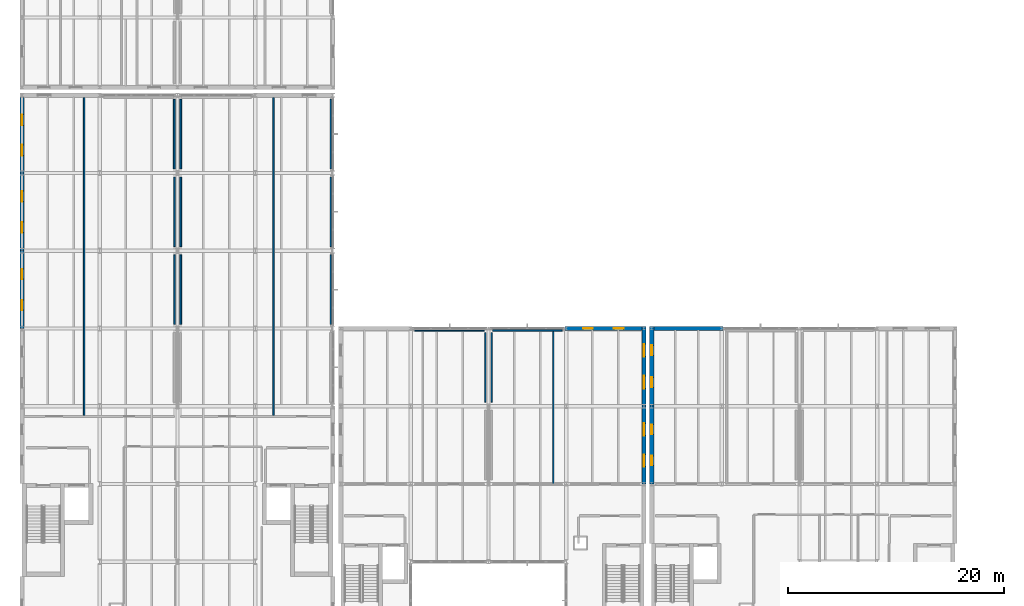
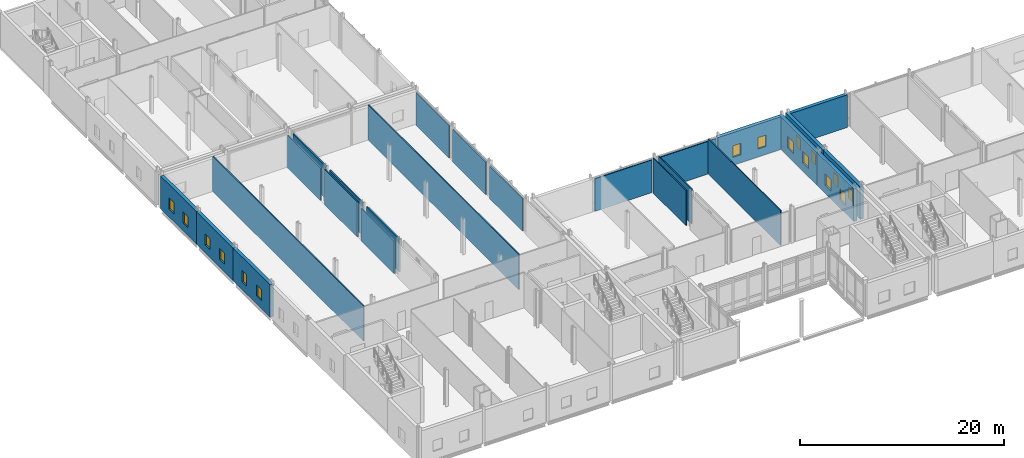
# One storey, part 54 of 72: 25 walls, 16 windows, 16 openings.
"""IFC4 building model written with IfcOpenShell, lengths in metres."""

from ifc_helpers import new_model, si_unit, direction, frame, frame_2d, origin, place, context, subcontext, project, spatial, rectangle, extrude, material, layer, layer_set, type_object, element, fill, save


model = new_model("IFC4")

# Units and contexts
model_context = context("Model", 3, precision=1e-05, world=origin(), true_north=direction((0.0, 1.0)))
body_context = subcontext(model_context, "Body", "Model", "MODEL_VIEW")
ifc_project = project(units=[si_unit("LENGTHUNIT", "METRE"), si_unit("AREAUNIT", "SQUARE_METRE"), si_unit("VOLUMEUNIT", "CUBIC_METRE"), si_unit("PLANEANGLEUNIT", "RADIAN"), si_unit("MASSUNIT", "GRAM", prefix="KILO")], contexts=[model_context])

# Site, building, storey
site_placement = place(None, origin())
site = spatial("IfcSite", under=ifc_project, at=site_placement, CompositionType="ELEMENT")
building_placement = place(site_placement, origin())
building = spatial("IfcBuilding", under=site, at=building_placement, Name="Zarrinpeak Specialist Clinic", CompositionType="ELEMENT")
storey_placement = place(building_placement, frame((0.0, 0.0, 9.60009765625)))
storey = spatial("IfcBuildingStorey", under=building, at=storey_placement, Name="L02", CompositionType="ELEMENT", Elevation=9.60009765625)

# Wall, openings, windows
ifc_material_1 = material(Name="Precast concrete C40/50", Category="concrete")
ifc_layer_1 = layer(ifc_material_1, 0.3798828125)
ifc_layer_set_1 = layer_set([ifc_layer_1], Name="Precast concrete C40/50")
wall_type_1 = type_object("IfcWallType", Name="WL-EW380", PredefinedType="STANDARD", material=ifc_layer_set_1)
wall_1_placement = place(storey_placement, frame((0.0, 36.0, 0.0), z_axis=(0.0, 0.0, 1.0), x_axis=(0.0, -1.0, 0.0)))
wall_1 = element("IfcWall", 1, at=wall_1_placement, inside=storey, type_object=wall_type_1, Name="L02 V1 Exterior GRC Wall EW-L02-V1-0038", PredefinedType="STANDARD", context=body_context, shape_type="SweptSolid", body=[
    extrude(rectangle(XDim=7.199951171875, YDim=0.3798828125, at=frame_2d((3.60009765625, 0.0))), origin(), (0.0, 0.0, 1.0), 3.885009765625),
])
opening_1_placement = place(wall_1_placement, frame((1.696044921875, 0.0, 0.949951171875)))
opening_1 = element("IfcOpeningElement", 2, at=opening_1_placement, cuts=wall_1, Name="Opening WS-29", PredefinedType="OPENING", context=body_context, shape_type="SweptSolid", body=[
    extrude(rectangle(XDim=0.927978515625, YDim=1.33203125, at=frame_2d((0.4638671875, 0.666015625))), frame((0.0, 0.199951171875, 0.0), z_axis=(0.0, -1.0, 0.0), x_axis=(1.0, 0.0, 0.0)), (0.0, 0.0, 1.0), 0.39990234375),
])
opening_2_placement = place(wall_1_placement, frame((4.575927734375, 0.0, 0.949951171875)))
opening_2 = element("IfcOpeningElement", 3, at=opening_2_placement, cuts=wall_1, Name="Opening WS-29", PredefinedType="OPENING", context=body_context, shape_type="SweptSolid", body=[
    extrude(rectangle(XDim=0.927978515625, YDim=1.33203125, at=frame_2d((0.4638671875, 0.666015625))), frame((0.0, 0.199951171875, 0.0), z_axis=(0.0, -1.0, 0.0), x_axis=(1.0, 0.0, 0.0)), (0.0, 0.0, 1.0), 0.39990234375),
])
ifc_material_2 = material(Name="Thermally Broken Aluminium and Low-E Glazing", Category="aluminium")
window_type_1 = type_object("IfcWindowType", Name="WN-SP29", PartitioningType="SINGLE_PANEL", PredefinedType="WINDOW", material=ifc_material_2)
window_1_placement = place(opening_1_placement, origin())
window_1 = element("IfcWindow", 4, at=window_1_placement, inside=storey, type_object=window_type_1, Name="L02 Modular Facade Window WN-L02-0056", OverallHeight=1.33203125, OverallWidth=0.927978515625, PartitioningType="SINGLE_PANEL", PredefinedType="WINDOW", context=body_context, shape_type="SweptSolid", body=[
    extrude(rectangle(XDim=0.927978515625, YDim=1.33203125, at=frame_2d((0.4638671875, 0.666015625))), frame((0.0, 0.030029296875, 0.0), z_axis=(0.0, -1.0, 0.0), x_axis=(1.0, 0.0, 0.0)), (0.0, 0.0, 1.0), 0.06005859375),
])
fill(opening_1, window_1)
window_2_placement = place(opening_2_placement, origin())
window_2 = element("IfcWindow", 5, at=window_2_placement, inside=storey, type_object=window_type_1, Name="L02 Modular Facade Window WN-L02-0057", OverallHeight=1.33203125, OverallWidth=0.927978515625, PartitioningType="SINGLE_PANEL", PredefinedType="WINDOW", context=body_context, shape_type="SweptSolid", body=[
    extrude(rectangle(XDim=0.927978515625, YDim=1.33203125, at=frame_2d((0.4638671875, 0.666015625))), frame((0.0, 0.030029296875, 0.0), z_axis=(0.0, -1.0, 0.0), x_axis=(1.0, 0.0, 0.0)), (0.0, 0.0, 1.0), 0.06005859375),
])
fill(opening_2, window_2)

wall_2_placement = place(storey_placement, frame((0.0, 43.199951171875, 0.0), z_axis=(0.0, 0.0, 1.0), x_axis=(0.0, -1.0, 0.0)))
wall_2 = element("IfcWall", 6, at=wall_2_placement, inside=storey, type_object=wall_type_1, Name="L02 V1 Exterior GRC Wall EW-L02-V1-0039", PredefinedType="STANDARD", context=body_context, shape_type="SweptSolid", body=[
    extrude(rectangle(XDim=7.199951171875, YDim=0.3798828125, at=frame_2d((3.60009765625, 0.0))), origin(), (0.0, 0.0, 1.0), 3.885009765625),
])
opening_3_placement = place(wall_2_placement, frame((1.678955078125, 0.0, 0.949951171875)))
opening_3 = element("IfcOpeningElement", 7, at=opening_3_placement, cuts=wall_2, Name="Opening WS-30", PredefinedType="OPENING", context=body_context, shape_type="SweptSolid", body=[
    extrude(rectangle(XDim=0.9619140625, YDim=1.33203125, at=frame_2d((0.48095703125, 0.666015625))), frame((0.0, 0.199951171875, 0.0), z_axis=(0.0, -1.0, 0.0), x_axis=(1.0, 0.0, 0.0)), (0.0, 0.0, 1.0), 0.39990234375),
])
opening_4_placement = place(wall_2_placement, frame((4.55908203125, 0.0, 0.949951171875)))
opening_4 = element("IfcOpeningElement", 8, at=opening_4_placement, cuts=wall_2, Name="Opening WS-30", PredefinedType="OPENING", context=body_context, shape_type="SweptSolid", body=[
    extrude(rectangle(XDim=0.9619140625, YDim=1.33203125, at=frame_2d((0.48095703125, 0.666015625))), frame((0.0, 0.199951171875, 0.0), z_axis=(0.0, -1.0, 0.0), x_axis=(1.0, 0.0, 0.0)), (0.0, 0.0, 1.0), 0.39990234375),
])
window_type_2 = type_object("IfcWindowType", Name="WN-SP30", PartitioningType="SINGLE_PANEL", PredefinedType="WINDOW", material=ifc_material_2)
window_3_placement = place(opening_3_placement, origin())
window_3 = element("IfcWindow", 9, at=window_3_placement, inside=storey, type_object=window_type_2, Name="L02 Modular Facade Window WN-L02-0058", OverallHeight=1.33203125, OverallWidth=0.9619140625, PartitioningType="SINGLE_PANEL", PredefinedType="WINDOW", context=body_context, shape_type="SweptSolid", body=[
    extrude(rectangle(XDim=0.9619140625, YDim=1.33203125, at=frame_2d((0.48095703125, 0.666015625))), frame((0.0, 0.030029296875, 0.0), z_axis=(0.0, -1.0, 0.0), x_axis=(1.0, 0.0, 0.0)), (0.0, 0.0, 1.0), 0.06005859375),
])
fill(opening_3, window_3)
window_4_placement = place(opening_4_placement, origin())
window_4 = element("IfcWindow", 10, at=window_4_placement, inside=storey, type_object=window_type_2, Name="L02 Modular Facade Window WN-L02-0059", OverallHeight=1.33203125, OverallWidth=0.9619140625, PartitioningType="SINGLE_PANEL", PredefinedType="WINDOW", context=body_context, shape_type="SweptSolid", body=[
    extrude(rectangle(XDim=0.9619140625, YDim=1.33203125, at=frame_2d((0.48095703125, 0.666015625))), frame((0.0, 0.030029296875, 0.0), z_axis=(0.0, -1.0, 0.0), x_axis=(1.0, 0.0, 0.0)), (0.0, 0.0, 1.0), 0.06005859375),
])
fill(opening_4, window_4)

wall_3_placement = place(storey_placement, frame((0.0, 50.2099609375, 0.0), z_axis=(0.0, 0.0, 1.0), x_axis=(0.0, -1.0, 0.0)))
wall_3 = element("IfcWall", 11, at=wall_3_placement, inside=storey, type_object=wall_type_1, Name="L02 V1 Exterior GRC Wall EW-L02-V1-0040", PredefinedType="STANDARD", context=body_context, shape_type="SweptSolid", body=[
    extrude(rectangle(XDim=7.010009765625, YDim=0.3798828125, at=frame_2d((3.5048828125, 0.0))), origin(), (0.0, 0.0, 1.0), 3.885009765625),
])
opening_5_placement = place(wall_3_placement, frame((1.60498046875, 0.0, 0.949951171875)))
opening_5 = element("IfcOpeningElement", 12, at=opening_5_placement, cuts=wall_3, Name="Opening WS-31", PredefinedType="OPENING", context=body_context, shape_type="SweptSolid", body=[
    extrude(rectangle(XDim=0.99609375, YDim=1.33203125, at=frame_2d((0.498046875, 0.666015625))), frame((0.0, 0.199951171875, 0.0), z_axis=(0.0, -1.0, 0.0), x_axis=(1.0, 0.0, 0.0)), (0.0, 0.0, 1.0), 0.39990234375),
])
opening_6_placement = place(wall_3_placement, frame((4.408935546875, 0.0, 0.949951171875)))
opening_6 = element("IfcOpeningElement", 13, at=opening_6_placement, cuts=wall_3, Name="Opening WS-31", PredefinedType="OPENING", context=body_context, shape_type="SweptSolid", body=[
    extrude(rectangle(XDim=0.99609375, YDim=1.33203125, at=frame_2d((0.498046875, 0.666015625))), frame((0.0, 0.199951171875, 0.0), z_axis=(0.0, -1.0, 0.0), x_axis=(1.0, 0.0, 0.0)), (0.0, 0.0, 1.0), 0.39990234375),
])
window_type_3 = type_object("IfcWindowType", Name="WN-SP31", PartitioningType="SINGLE_PANEL", PredefinedType="WINDOW", material=ifc_material_2)
window_5_placement = place(opening_5_placement, origin())
window_5 = element("IfcWindow", 14, at=window_5_placement, inside=storey, type_object=window_type_3, Name="L02 Modular Facade Window WN-L02-0060", OverallHeight=1.33203125, OverallWidth=0.99609375, PartitioningType="SINGLE_PANEL", PredefinedType="WINDOW", context=body_context, shape_type="SweptSolid", body=[
    extrude(rectangle(XDim=0.99609375, YDim=1.33203125, at=frame_2d((0.498046875, 0.666015625))), frame((0.0, 0.030029296875, 0.0), z_axis=(0.0, -1.0, 0.0), x_axis=(1.0, 0.0, 0.0)), (0.0, 0.0, 1.0), 0.06005859375),
])
fill(opening_5, window_5)
window_6_placement = place(opening_6_placement, origin())
window_6 = element("IfcWindow", 15, at=window_6_placement, inside=storey, type_object=window_type_3, Name="L02 Modular Facade Window WN-L02-0061", OverallHeight=1.33203125, OverallWidth=0.99609375, PartitioningType="SINGLE_PANEL", PredefinedType="WINDOW", context=body_context, shape_type="SweptSolid", body=[
    extrude(rectangle(XDim=0.99609375, YDim=1.33203125, at=frame_2d((0.498046875, 0.666015625))), frame((0.0, 0.030029296875, 0.0), z_axis=(0.0, -1.0, 0.0), x_axis=(1.0, 0.0, 0.0)), (0.0, 0.0, 1.0), 0.06005859375),
])
fill(opening_6, window_6)

wall_4_placement = place(storey_placement, frame((57.409912109375, 28.800048828125, 0.0), z_axis=(0.0, 0.0, 1.0), x_axis=(-1.0, 0.0, 0.0)))
wall_4 = element("IfcWall", 16, at=wall_4_placement, inside=storey, type_object=wall_type_1, Name="L02 V2 Exterior GRC Wall EW-L02-V2-0124", PredefinedType="STANDARD", context=body_context, shape_type="SweptSolid", body=[
    extrude(rectangle(XDim=7.119873046875, YDim=0.3798828125, at=frame_2d((3.56005859375, 0.0))), origin(), (0.0, 0.0, 1.0), 3.89990234375),
])
opening_7_placement = place(wall_4_placement, frame((1.68896484375, 0.0, 0.949951171875)))
opening_7 = element("IfcOpeningElement", 17, at=opening_7_placement, cuts=wall_4, Name="Opening WS-41", PredefinedType="OPENING", context=body_context, shape_type="SweptSolid", body=[
    extrude(rectangle(XDim=0.89404296875, YDim=1.367919921875, at=frame_2d((0.447021484375, 0.68408203125))), frame((0.0, 0.199951171875, 0.0), z_axis=(0.0, -1.0, 0.0), x_axis=(1.0, 0.0, 0.0)), (0.0, 0.0, 1.0), 0.39990234375),
])
opening_8_placement = place(wall_4_placement, frame((4.537109375, 0.0, 0.949951171875)))
opening_8 = element("IfcOpeningElement", 18, at=opening_8_placement, cuts=wall_4, Name="Opening WS-41", PredefinedType="OPENING", context=body_context, shape_type="SweptSolid", body=[
    extrude(rectangle(XDim=0.89404296875, YDim=1.367919921875, at=frame_2d((0.447021484375, 0.68408203125))), frame((0.0, 0.199951171875, 0.0), z_axis=(0.0, -1.0, 0.0), x_axis=(1.0, 0.0, 0.0)), (0.0, 0.0, 1.0), 0.39990234375),
])
window_type_4 = type_object("IfcWindowType", Name="WN-SP41", PartitioningType="SINGLE_PANEL", PredefinedType="WINDOW", material=ifc_material_2)
window_7_placement = place(opening_7_placement, origin())
window_7 = element("IfcWindow", 19, at=window_7_placement, inside=storey, type_object=window_type_4, Name="L02 Modular Facade Window WN-L02-0160", OverallHeight=1.367919921875, OverallWidth=0.89404296875, PartitioningType="SINGLE_PANEL", PredefinedType="WINDOW", context=body_context, shape_type="SweptSolid", body=[
    extrude(rectangle(XDim=0.89404296875, YDim=1.367919921875, at=frame_2d((0.447021484375, 0.68408203125))), frame((0.0, 0.030029296875, 0.0), z_axis=(0.0, -1.0, 0.0), x_axis=(1.0, 0.0, 0.0)), (0.0, 0.0, 1.0), 0.06005859375),
])
fill(opening_7, window_7)
window_8_placement = place(opening_8_placement, origin())
window_8 = element("IfcWindow", 20, at=window_8_placement, inside=storey, type_object=window_type_4, Name="L02 Modular Facade Window WN-L02-0161", OverallHeight=1.367919921875, OverallWidth=0.89404296875, PartitioningType="SINGLE_PANEL", PredefinedType="WINDOW", context=body_context, shape_type="SweptSolid", body=[
    extrude(rectangle(XDim=0.89404296875, YDim=1.367919921875, at=frame_2d((0.447021484375, 0.68408203125))), frame((0.0, 0.030029296875, 0.0), z_axis=(0.0, -1.0, 0.0), x_axis=(1.0, 0.0, 0.0)), (0.0, 0.0, 1.0), 0.06005859375),
])
fill(opening_8, window_8)

wall_5_placement = place(storey_placement, frame((57.60009765625, 14.39990234375, 0.0), z_axis=(0.0, 0.0, 1.0), x_axis=(0.0, 1.0, 0.0)))
wall_5 = element("IfcWall", 21, at=wall_5_placement, inside=storey, type_object=wall_type_1, Name="L02 V2 Exterior GRC Wall EW-L02-V2-0131", PredefinedType="STANDARD", context=body_context, shape_type="SweptSolid", body=[
    extrude(rectangle(XDim=7.2001953125, YDim=0.3798828125, at=frame_2d((3.60009765625, 0.0))), origin(), (0.0, 0.0, 1.0), 3.89501953125),
])
opening_9_placement = place(wall_5_placement, frame((1.593994140625, 0.0, 0.949951171875)))
opening_9 = element("IfcOpeningElement", 22, at=opening_9_placement, cuts=wall_5, Name="Opening WS-48", PredefinedType="OPENING", context=body_context, shape_type="SweptSolid", body=[
    extrude(rectangle(XDim=1.132080078125, YDim=1.367919921875, at=frame_2d((0.56591796875, 0.68408203125))), frame((0.0, 0.199951171875, 0.0), z_axis=(0.0, -1.0, 0.0), x_axis=(1.0, 0.0, 0.0)), (0.0, 0.0, 1.0), 0.39990234375),
])
opening_10_placement = place(wall_5_placement, frame((4.47412109375, 0.0, 0.949951171875)))
opening_10 = element("IfcOpeningElement", 23, at=opening_10_placement, cuts=wall_5, Name="Opening WS-48", PredefinedType="OPENING", context=body_context, shape_type="SweptSolid", body=[
    extrude(rectangle(XDim=1.132080078125, YDim=1.367919921875, at=frame_2d((0.56591796875, 0.68408203125))), frame((0.0, 0.199951171875, 0.0), z_axis=(0.0, -1.0, 0.0), x_axis=(1.0, 0.0, 0.0)), (0.0, 0.0, 1.0), 0.39990234375),
])
window_type_5 = type_object("IfcWindowType", Name="WN-SP48", PartitioningType="SINGLE_PANEL", PredefinedType="WINDOW", material=ifc_material_2)
window_9_placement = place(opening_9_placement, origin())
window_9 = element("IfcWindow", 24, at=window_9_placement, inside=storey, type_object=window_type_5, Name="L02 Modular Facade Window WN-L02-0166", OverallHeight=1.367919921875, OverallWidth=1.132080078125, PartitioningType="SINGLE_PANEL", PredefinedType="WINDOW", context=body_context, shape_type="SweptSolid", body=[
    extrude(rectangle(XDim=1.132080078125, YDim=1.367919921875, at=frame_2d((0.56591796875, 0.68408203125))), frame((0.0, 0.030029296875, 0.0), z_axis=(0.0, -1.0, 0.0), x_axis=(1.0, 0.0, 0.0)), (0.0, 0.0, 1.0), 0.06005859375),
])
fill(opening_9, window_9)
window_10_placement = place(opening_10_placement, origin())
window_10 = element("IfcWindow", 25, at=window_10_placement, inside=storey, type_object=window_type_5, Name="L02 Modular Facade Window WN-L02-0167", OverallHeight=1.367919921875, OverallWidth=1.132080078125, PartitioningType="SINGLE_PANEL", PredefinedType="WINDOW", context=body_context, shape_type="SweptSolid", body=[
    extrude(rectangle(XDim=1.132080078125, YDim=1.367919921875, at=frame_2d((0.56591796875, 0.68408203125))), frame((0.0, 0.030029296875, 0.0), z_axis=(0.0, -1.0, 0.0), x_axis=(1.0, 0.0, 0.0)), (0.0, 0.0, 1.0), 0.06005859375),
])
fill(opening_10, window_10)

wall_6_placement = place(storey_placement, frame((57.60009765625, 21.60009765625, 0.0), z_axis=(0.0, 0.0, 1.0), x_axis=(0.0, 1.0, 0.0)))
wall_6 = element("IfcWall", 26, at=wall_6_placement, inside=storey, type_object=wall_type_1, Name="L02 V2 Exterior GRC Wall EW-L02-V2-0132", PredefinedType="STANDARD", context=body_context, shape_type="SweptSolid", body=[
    extrude(rectangle(XDim=7.389892578125, YDim=0.3798828125, at=frame_2d((3.69482421875, 0.0))), origin(), (0.0, 0.0, 1.0), 3.89990234375),
])
opening_11_placement = place(wall_6_placement, frame((1.634033203125, 0.0, 0.949951171875)))
opening_11 = element("IfcOpeningElement", 27, at=opening_11_placement, cuts=wall_6, Name="Opening WS-49", PredefinedType="OPENING", context=body_context, shape_type="SweptSolid", body=[
    extrude(rectangle(XDim=1.166015625, YDim=1.367919921875, at=frame_2d((0.5830078125, 0.68408203125))), frame((0.0, 0.199951171875, 0.0), z_axis=(0.0, -1.0, 0.0), x_axis=(1.0, 0.0, 0.0)), (0.0, 0.0, 1.0), 0.39990234375),
])
opening_12_placement = place(wall_6_placement, frame((4.590087890625, 0.0, 0.949951171875)))
opening_12 = element("IfcOpeningElement", 28, at=opening_12_placement, cuts=wall_6, Name="Opening WS-49", PredefinedType="OPENING", context=body_context, shape_type="SweptSolid", body=[
    extrude(rectangle(XDim=1.166015625, YDim=1.367919921875, at=frame_2d((0.5830078125, 0.68408203125))), frame((0.0, 0.199951171875, 0.0), z_axis=(0.0, -1.0, 0.0), x_axis=(1.0, 0.0, 0.0)), (0.0, 0.0, 1.0), 0.39990234375),
])
window_type_6 = type_object("IfcWindowType", Name="WN-SP49", PartitioningType="SINGLE_PANEL", PredefinedType="WINDOW", material=ifc_material_2)
window_11_placement = place(opening_11_placement, origin())
window_11 = element("IfcWindow", 29, at=window_11_placement, inside=storey, type_object=window_type_6, Name="L02 Modular Facade Window WN-L02-0168", OverallHeight=1.367919921875, OverallWidth=1.166015625, PartitioningType="SINGLE_PANEL", PredefinedType="WINDOW", context=body_context, shape_type="SweptSolid", body=[
    extrude(rectangle(XDim=1.166015625, YDim=1.367919921875, at=frame_2d((0.5830078125, 0.68408203125))), frame((0.0, 0.030029296875, 0.0), z_axis=(0.0, -1.0, 0.0), x_axis=(1.0, 0.0, 0.0)), (0.0, 0.0, 1.0), 0.06005859375),
])
fill(opening_11, window_11)
window_12_placement = place(opening_12_placement, origin())
window_12 = element("IfcWindow", 30, at=window_12_placement, inside=storey, type_object=window_type_6, Name="L02 Modular Facade Window WN-L02-0169", OverallHeight=1.367919921875, OverallWidth=1.166015625, PartitioningType="SINGLE_PANEL", PredefinedType="WINDOW", context=body_context, shape_type="SweptSolid", body=[
    extrude(rectangle(XDim=1.166015625, YDim=1.367919921875, at=frame_2d((0.5830078125, 0.68408203125))), frame((0.0, 0.030029296875, 0.0), z_axis=(0.0, -1.0, 0.0), x_axis=(1.0, 0.0, 0.0)), (0.0, 0.0, 1.0), 0.06005859375),
])
fill(opening_12, window_12)

# Wall
wall_7_placement = place(storey_placement, frame((64.909912109375, 28.800048828125, 0.0), z_axis=(0.0, 0.0, 1.0), x_axis=(-1.0, 0.0, 0.0)))
element("IfcWall", 31, at=wall_7_placement, inside=storey, type_object=wall_type_1, Name="L02 V4 Exterior GRC Wall EW-L02-V4-0181", PredefinedType="STANDARD", context=body_context, shape_type="SweptSolid", body=[
    extrude(rectangle(XDim=6.39990234375, YDim=0.3798828125, at=frame_2d((3.199951171875, 0.0))), origin(), (0.0, 0.0, 1.0), 3.89990234375),
])

# Wall, openings, windows
wall_8_placement = place(storey_placement, frame((58.320068359375, 21.60009765625, 0.0), z_axis=(0.0, 0.0, 1.0), x_axis=(0.0, -1.0, 0.0)))
wall_8 = element("IfcWall", 32, at=wall_8_placement, inside=storey, type_object=wall_type_1, Name="L02 V4 Exterior GRC Wall EW-L02-V4-0185", PredefinedType="STANDARD", context=body_context, shape_type="SweptSolid", body=[
    extrude(rectangle(XDim=7.2001953125, YDim=0.3798828125, at=frame_2d((3.60009765625, 0.0))), origin(), (0.0, 0.0, 1.0), 3.89501953125),
])
opening_13_placement = place(wall_8_placement, frame((1.712890625, 0.0, 0.949951171875)))
opening_13 = element("IfcOpeningElement", 33, at=opening_13_placement, cuts=wall_8, Name="Opening WS-28", PredefinedType="OPENING", context=body_context, shape_type="SweptSolid", body=[
    extrude(rectangle(XDim=0.89404296875, YDim=1.33203125, at=frame_2d((0.447021484375, 0.666015625))), frame((0.0, 0.199951171875, 0.0), z_axis=(0.0, -1.0, 0.0), x_axis=(1.0, 0.0, 0.0)), (0.0, 0.0, 1.0), 0.39990234375),
])
opening_14_placement = place(wall_8_placement, frame((4.593017578125, 0.0, 0.949951171875)))
opening_14 = element("IfcOpeningElement", 34, at=opening_14_placement, cuts=wall_8, Name="Opening WS-28", PredefinedType="OPENING", context=body_context, shape_type="SweptSolid", body=[
    extrude(rectangle(XDim=0.89404296875, YDim=1.33203125, at=frame_2d((0.447021484375, 0.666015625))), frame((0.0, 0.199951171875, 0.0), z_axis=(0.0, -1.0, 0.0), x_axis=(1.0, 0.0, 0.0)), (0.0, 0.0, 1.0), 0.39990234375),
])
window_type_7 = type_object("IfcWindowType", Name="WN-SP28", PartitioningType="SINGLE_PANEL", PredefinedType="WINDOW", material=ifc_material_2)
window_13_placement = place(opening_13_placement, origin())
window_13 = element("IfcWindow", 35, at=window_13_placement, inside=storey, type_object=window_type_7, Name="L02 Modular Facade Window WN-L02-0216", OverallHeight=1.33203125, OverallWidth=0.89404296875, PartitioningType="SINGLE_PANEL", PredefinedType="WINDOW", context=body_context, shape_type="SweptSolid", body=[
    extrude(rectangle(XDim=0.89404296875, YDim=1.33203125, at=frame_2d((0.447021484375, 0.666015625))), frame((0.0, 0.030029296875, 0.0), z_axis=(0.0, -1.0, 0.0), x_axis=(1.0, 0.0, 0.0)), (0.0, 0.0, 1.0), 0.06005859375),
])
fill(opening_13, window_13)
window_14_placement = place(opening_14_placement, origin())
window_14 = element("IfcWindow", 36, at=window_14_placement, inside=storey, type_object=window_type_7, Name="L02 Modular Facade Window WN-L02-0217", OverallHeight=1.33203125, OverallWidth=0.89404296875, PartitioningType="SINGLE_PANEL", PredefinedType="WINDOW", context=body_context, shape_type="SweptSolid", body=[
    extrude(rectangle(XDim=0.89404296875, YDim=1.33203125, at=frame_2d((0.447021484375, 0.666015625))), frame((0.0, 0.030029296875, 0.0), z_axis=(0.0, -1.0, 0.0), x_axis=(1.0, 0.0, 0.0)), (0.0, 0.0, 1.0), 0.06005859375),
])
fill(opening_14, window_14)

wall_9_placement = place(storey_placement, frame((58.320068359375, 28.989990234375, 0.0), z_axis=(0.0, 0.0, 1.0), x_axis=(0.0, -1.0, 0.0)))
wall_9 = element("IfcWall", 37, at=wall_9_placement, inside=storey, type_object=wall_type_1, Name="L02 V4 Exterior GRC Wall EW-L02-V4-0186", PredefinedType="STANDARD", context=body_context, shape_type="SweptSolid", body=[
    extrude(rectangle(XDim=7.389892578125, YDim=0.3798828125, at=frame_2d((3.69482421875, 0.0))), origin(), (0.0, 0.0, 1.0), 3.89990234375),
])
opening_15_placement = place(wall_9_placement, frame((1.7529296875, 0.0, 0.949951171875)))
opening_15 = element("IfcOpeningElement", 38, at=opening_15_placement, cuts=wall_9, Name="Opening WS-29", PredefinedType="OPENING", context=body_context, shape_type="SweptSolid", body=[
    extrude(rectangle(XDim=0.927978515625, YDim=1.33203125, at=frame_2d((0.4638671875, 0.666015625))), frame((0.0, 0.199951171875, 0.0), z_axis=(0.0, -1.0, 0.0), x_axis=(1.0, 0.0, 0.0)), (0.0, 0.0, 1.0), 0.39990234375),
])
opening_16_placement = place(wall_9_placement, frame((4.708984375, 0.0, 0.949951171875)))
opening_16 = element("IfcOpeningElement", 39, at=opening_16_placement, cuts=wall_9, Name="Opening WS-29", PredefinedType="OPENING", context=body_context, shape_type="SweptSolid", body=[
    extrude(rectangle(XDim=0.927978515625, YDim=1.33203125, at=frame_2d((0.4638671875, 0.666015625))), frame((0.0, 0.199951171875, 0.0), z_axis=(0.0, -1.0, 0.0), x_axis=(1.0, 0.0, 0.0)), (0.0, 0.0, 1.0), 0.39990234375),
])
window_15_placement = place(opening_15_placement, origin())
window_15 = element("IfcWindow", 40, at=window_15_placement, inside=storey, type_object=window_type_1, Name="L02 Modular Facade Window WN-L02-0218", OverallHeight=1.33203125, OverallWidth=0.927978515625, PartitioningType="SINGLE_PANEL", PredefinedType="WINDOW", context=body_context, shape_type="SweptSolid", body=[
    extrude(rectangle(XDim=0.927978515625, YDim=1.33203125, at=frame_2d((0.4638671875, 0.666015625))), frame((0.0, 0.030029296875, 0.0), z_axis=(0.0, -1.0, 0.0), x_axis=(1.0, 0.0, 0.0)), (0.0, 0.0, 1.0), 0.06005859375),
])
fill(opening_15, window_15)
window_16_placement = place(opening_16_placement, origin())
window_16 = element("IfcWindow", 41, at=window_16_placement, inside=storey, type_object=window_type_1, Name="L02 Modular Facade Window WN-L02-0219", OverallHeight=1.33203125, OverallWidth=0.927978515625, PartitioningType="SINGLE_PANEL", PredefinedType="WINDOW", context=body_context, shape_type="SweptSolid", body=[
    extrude(rectangle(XDim=0.927978515625, YDim=1.33203125, at=frame_2d((0.4638671875, 0.666015625))), frame((0.0, 0.030029296875, 0.0), z_axis=(0.0, -1.0, 0.0), x_axis=(1.0, 0.0, 0.0)), (0.0, 0.0, 1.0), 0.06005859375),
])
fill(opening_16, window_16)

# Walls
ifc_material_3 = material(Name="Sanitary Service Chase Plumbing Wall", Category="gypsum")
ifc_layer_2 = layer(ifc_material_3, 0.110107421875)
ifc_layer_set_2 = layer_set([ifc_layer_2], Name="Sanitary Service Chase Plumbing Wall")
wall_type_2 = type_object("IfcWallType", Name="WL-IW110", PredefinedType="PARTITIONING", material=ifc_layer_set_2)
wall_10_placement = place(storey_placement, frame((36.3798828125, 28.60009765625, 0.0), z_axis=(0.0, 0.0, 1.0), x_axis=(1.0, 0.0, 0.0)))
element("IfcWall", 42, at=wall_10_placement, inside=storey, type_object=wall_type_2, Name="L02 Women Lounge Washroom Partition", PredefinedType="PARTITIONING", context=body_context, shape_type="SweptSolid", body=[
    extrude(rectangle(XDim=6.440185546875, YDim=0.110107421875, at=frame_2d((3.22021484375, 0.0))), origin(), (0.0, 0.0, 1.0), 3.89990234375),
])
for number, where, z_axis, x_axis, name in (
    (43, (42.89990234375, 21.97998046875, 0.0), (0.0, 0.0, 1.0), (0.0, 1.0, 0.0), "L02 Women Lounge Washroom Dividing Partition"),
    (44, (43.5, 21.97998046875, 0.0), (0.0, 0.0, 1.0), (0.0, 1.0, 0.0), "L02 Accessible Patient WC Dividing Partition"),
):
    element("IfcWall", number, at=place(storey_placement, frame(where, z_axis=z_axis, x_axis=x_axis)), inside=storey, type_object=wall_type_2, Name=name, PredefinedType="PARTITIONING", context=body_context, shape_type="SweptSolid", body=[
        extrude(rectangle(XDim=6.43994140625, YDim=0.110107421875, at=frame_2d((3.219970703125, 0.0))), origin(), (0.0, 0.0, 1.0), 4.199951171875),
    ])
wall_11_placement = place(storey_placement, frame((49.199951171875, 14.41259765625, 0.0), z_axis=(0.0, 0.0, 1.0), x_axis=(0.0, 1.0, 0.0)))
element("IfcWall", 45, at=wall_11_placement, inside=storey, type_object=wall_type_2, Name="L02 Accessible Patient WC Dividing Partition", PredefinedType="PARTITIONING", context=body_context, shape_type="SweptSolid", body=[
    extrude(rectangle(XDim=14.125, YDim=0.110107421875, at=frame_2d((7.0625, 0.0))), origin(), (0.0, 0.0, 1.0), 4.199951171875),
])
ifc_material_4 = material(Name="Moisture-Resistant Wet-Room Partition", Category="gypsum")
ifc_layer_3 = layer(ifc_material_4, 0.125)
ifc_layer_set_3 = layer_set([ifc_layer_3], Name="Moisture-Resistant Wet-Room Partition")
wall_type_3 = type_object("IfcWallType", Name="WL-IW125W", PredefinedType="PARTITIONING", material=ifc_layer_set_3)
wall_12_placement = place(storey_placement, frame((43.580078125, 28.60009765625, 0.0), z_axis=(0.0, 0.0, 1.0), x_axis=(1.0, 0.0, 0.0)))
element("IfcWall", 46, at=wall_12_placement, inside=storey, type_object=wall_type_3, Name="L02 Accessible Patient WC Partition", PredefinedType="PARTITIONING", context=body_context, shape_type="SweptSolid", body=[
    extrude(rectangle(XDim=6.43994140625, YDim=0.125, at=frame_2d((3.219970703125, 0.0))), origin(), (0.0, 0.0, 1.0), 3.89990234375),
])
ifc_material_5 = material(Name="Standard Drywall Partition", Category="gypsum")
ifc_layer_4 = layer(ifc_material_5, 0.135009765625)
ifc_layer_set_4 = layer_set([ifc_layer_4], Name="Standard Drywall Partition")
wall_type_4 = type_object("IfcWallType", Name="WL-IW135", PredefinedType="PARTITIONING", material=ifc_layer_set_4)
wall_13_placement = place(storey_placement, frame((5.75, 20.72998046875, 0.0), z_axis=(0.0, 0.0, 1.0), x_axis=(0.0, 1.0, 0.0)))
element("IfcWall", 47, at=wall_13_placement, inside=storey, type_object=wall_type_4, Name="L02 Sleep Disorder Telemetry Suite Dividing Partition", PredefinedType="PARTITIONING", context=body_context, shape_type="SweptSolid", body=[
    extrude(rectangle(XDim=29.469970703125, YDim=0.135009765625, at=frame_2d((14.73486328125, 0.0))), origin(), (0.0, 0.0, 1.0), 4.199951171875),
])
wall_14_placement = place(storey_placement, frame((14.10009765625, 36.3798828125, 0.0), z_axis=(0.0, 0.0, 1.0), x_axis=(0.0, 1.0, 0.0)))
element("IfcWall", 48, at=wall_14_placement, inside=storey, type_object=wall_type_4, Name="L02 Audiology Soundproof Booth Dividing Partition", PredefinedType="PARTITIONING", context=body_context, shape_type="SweptSolid", body=[
    extrude(rectangle(XDim=6.440185546875, YDim=0.135009765625, at=frame_2d((3.22021484375, 0.0))), origin(), (0.0, 0.0, 1.0), 4.199951171875),
])
wall_15_placement = place(storey_placement, frame((23.300048828125, 20.72509765625, 0.0), z_axis=(0.0, 0.0, 1.0), x_axis=(0.0, 1.0, 0.0)))
element("IfcWall", 49, at=wall_15_placement, inside=storey, type_object=wall_type_4, Name="L02 Neurology EMG Diagnostic Room Dividing Partition", PredefinedType="PARTITIONING", context=body_context, shape_type="SweptSolid", body=[
    extrude(rectangle(XDim=29.474853515625, YDim=0.135009765625, at=frame_2d((14.7373046875, 0.0))), origin(), (0.0, 0.0, 1.0), 4.199951171875),
])
wall_16_placement = place(storey_placement, frame((28.60009765625, 43.580078125, 0.0), z_axis=(0.0, 0.0, 1.0), x_axis=(0.0, 1.0, 0.0)))
element("IfcWall", 50, at=wall_16_placement, inside=storey, type_object=wall_type_4, Name="L02 Neurology EMG Diagnostic Room Dividing Partition", PredefinedType="PARTITIONING", context=body_context, shape_type="SweptSolid", body=[
    extrude(rectangle(XDim=6.43994140625, YDim=0.135009765625, at=frame_2d((3.219970703125, 0.0))), origin(), (0.0, 0.0, 1.0), 3.885009765625),
])
ifc_material_6 = material(Name="Acoustic Consultation Stud Partition", Category="gypsum")
ifc_layer_5 = layer(ifc_material_6, 0.14208984375)
ifc_layer_set_5 = layer_set([ifc_layer_5], Name="Acoustic Consultation Stud Partition")
wall_type_5 = type_object("IfcWallType", Name="WL-IW142", PredefinedType="PARTITIONING", material=ifc_layer_set_5)
wall_17_placement = place(storey_placement, frame((14.10009765625, 29.179931640625, 0.0), z_axis=(0.0, 0.0, 1.0), x_axis=(0.0, 1.0, 0.0)))
element("IfcWall", 51, at=wall_17_placement, inside=storey, type_object=wall_type_5, Name="L02 Audiology Soundproof Booth Dividing Partition", PredefinedType="PARTITIONING", context=body_context, shape_type="SweptSolid", body=[
    extrude(rectangle(XDim=6.440185546875, YDim=0.14208984375, at=frame_2d((3.22021484375, 0.0))), origin(), (0.0, 0.0, 1.0), 3.89501953125),
])
wall_18_placement = place(storey_placement, frame((14.699951171875, 43.580078125, 0.0), z_axis=(0.0, 0.0, 1.0), x_axis=(0.0, 1.0, 0.0)))
element("IfcWall", 52, at=wall_18_placement, inside=storey, type_object=wall_type_5, Name="L02 Ophthalmology Laser Treatment Room Dividing Partition", PredefinedType="PARTITIONING", context=body_context, shape_type="SweptSolid", body=[
    extrude(rectangle(XDim=6.43994140625, YDim=0.14208984375, at=frame_2d((3.219970703125, 0.0))), origin(), (0.0, 0.0, 1.0), 3.89501953125),
])
wall_19_placement = place(storey_placement, frame((28.60009765625, 36.3798828125, 0.0), z_axis=(0.0, 0.0, 1.0), x_axis=(0.0, 1.0, 0.0)))
element("IfcWall", 53, at=wall_19_placement, inside=storey, type_object=wall_type_5, Name="L02 Neurology EMG Diagnostic Room Dividing Partition", PredefinedType="PARTITIONING", context=body_context, shape_type="SweptSolid", body=[
    extrude(rectangle(XDim=6.440185546875, YDim=0.14208984375, at=frame_2d((3.22021484375, 0.0))), origin(), (0.0, 0.0, 1.0), 3.885009765625),
])
ifc_material_7 = material(Name="Insulated Clinical Gypsum Stud Partition", Category="gypsum")
ifc_layer_6 = layer(ifc_material_7, 0.14990234375)
ifc_layer_set_6 = layer_set([ifc_layer_6], Name="Insulated Clinical Gypsum Stud Partition")
wall_type_6 = type_object("IfcWallType", Name="WL-IW150", PredefinedType="PARTITIONING", material=ifc_layer_set_6)
wall_20_placement = place(storey_placement, frame((14.699951171875, 36.3798828125, 0.0), z_axis=(0.0, 0.0, 1.0), x_axis=(0.0, 1.0, 0.0)))
element("IfcWall", 54, at=wall_20_placement, inside=storey, type_object=wall_type_6, Name="L02 Ophthalmology Laser Treatment Room Dividing Partition", PredefinedType="PARTITIONING", context=body_context, shape_type="SweptSolid", body=[
    extrude(rectangle(XDim=6.440185546875, YDim=0.14990234375, at=frame_2d((3.22021484375, 0.0))), origin(), (0.0, 0.0, 1.0), 3.89501953125),
])
wall_21_placement = place(storey_placement, frame((28.60009765625, 29.179931640625, 0.0), z_axis=(0.0, 0.0, 1.0), x_axis=(0.0, 1.0, 0.0)))
element("IfcWall", 55, at=wall_21_placement, inside=storey, type_object=wall_type_6, Name="L02 Neurology EMG Diagnostic Room Dividing Partition", PredefinedType="PARTITIONING", context=body_context, shape_type="SweptSolid", body=[
    extrude(rectangle(XDim=6.440185546875, YDim=0.14990234375, at=frame_2d((3.22021484375, 0.0))), origin(), (0.0, 0.0, 1.0), 3.885009765625),
])
ifc_material_8 = material(Name="Acoustic Double Gypsum Stud Partition", Category="gypsum")
ifc_layer_7 = layer(ifc_material_8, 0.159912109375)
ifc_layer_set_7 = layer_set([ifc_layer_7], Name="Acoustic Double Gypsum Stud Partition")
wall_type_7 = type_object("IfcWallType", Name="WL-IW160", PredefinedType="PARTITIONING", material=ifc_layer_set_7)
wall_22_placement = place(storey_placement, frame((14.10009765625, 43.580078125, 0.0), z_axis=(0.0, 0.0, 1.0), x_axis=(0.0, 1.0, 0.0)))
element("IfcWall", 56, at=wall_22_placement, inside=storey, type_object=wall_type_7, Name="L02 Audiology Soundproof Booth Dividing Partition", PredefinedType="PARTITIONING", context=body_context, shape_type="SweptSolid", body=[
    extrude(rectangle(XDim=6.43994140625, YDim=0.159912109375, at=frame_2d((3.219970703125, 0.0))), origin(), (0.0, 0.0, 1.0), 3.89501953125),
])
wall_23_placement = place(storey_placement, frame((14.699951171875, 29.179931640625, 0.0), z_axis=(0.0, 0.0, 1.0), x_axis=(0.0, 1.0, 0.0)))
element("IfcWall", 57, at=wall_23_placement, inside=storey, type_object=wall_type_7, Name="L02 Ophthalmology Laser Treatment Room Dividing Partition", PredefinedType="PARTITIONING", context=body_context, shape_type="SweptSolid", body=[
    extrude(rectangle(XDim=6.440185546875, YDim=0.159912109375, at=frame_2d((3.22021484375, 0.0))), origin(), (0.0, 0.0, 1.0), 3.89501953125),
])

save(model, "model.ifc")
